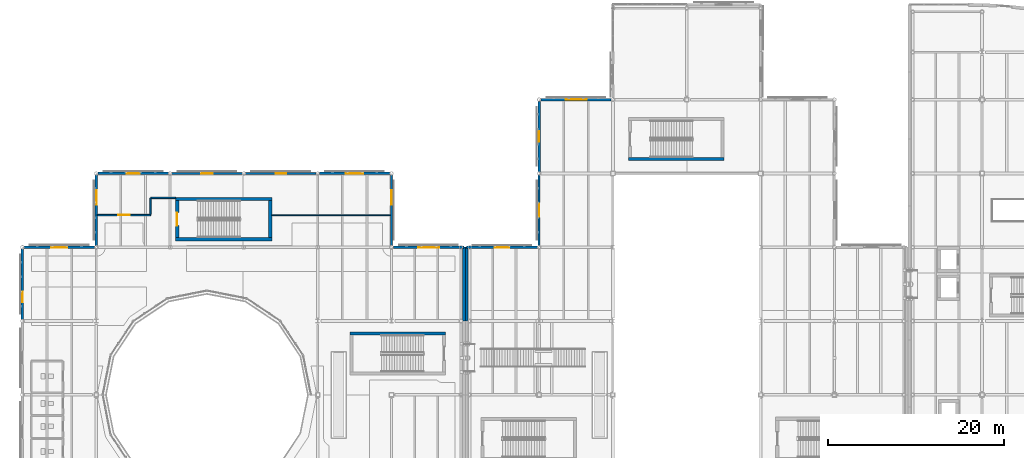
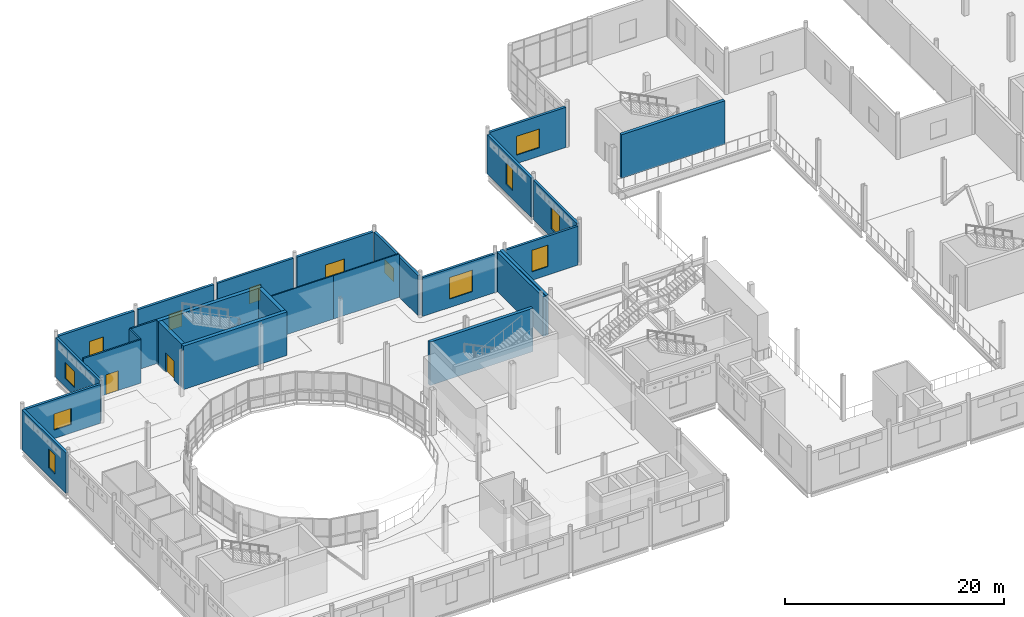
# One storey, part 70 of 104: 26 walls, 13 windows, 2 doors, 15 openings.
"""IFC4 building model written with IfcOpenShell, lengths in metres."""

from ifc_helpers import new_model, si_unit, direction, frame, frame_2d, origin, place, context, subcontext, project, spatial, rectangle, extrude, material, layer, layer_set, type_object, element, fill, save


model = new_model("IFC4")

# Units and contexts
model_context = context("Model", 3, precision=1e-05, world=origin(), true_north=direction((0.0, 1.0)))
body_context = subcontext(model_context, "Body", "Model", "MODEL_VIEW")
ifc_project = project(units=[si_unit("LENGTHUNIT", "METRE"), si_unit("AREAUNIT", "SQUARE_METRE"), si_unit("VOLUMEUNIT", "CUBIC_METRE"), si_unit("PLANEANGLEUNIT", "RADIAN"), si_unit("MASSUNIT", "GRAM", prefix="KILO"), si_unit("THERMODYNAMICTEMPERATUREUNIT", "KELVIN")], contexts=[model_context])

# Site, building, storey
site_placement = place(None, origin())
site = spatial("IfcSite", under=ifc_project, at=site_placement, CompositionType="ELEMENT")
building_placement = place(site_placement, origin())
building = spatial("IfcBuilding", under=site, at=building_placement, Name="Lustrewick Department Store", CompositionType="ELEMENT")
storey_placement = place(building_placement, frame((0.0, 0.0, 11.39990234375)))
storey = spatial("IfcBuildingStorey", under=building, at=storey_placement, Name="L03", CompositionType="ELEMENT", Elevation=11.39990234375)

# Wall, opening, window
ifc_material_1 = material(Name="Precast concrete C40", Category="concrete")
ifc_layer_1 = layer(ifc_material_1, 0.239990234375, Name="Precast concrete C40")
ifc_layer_set_1 = layer_set([ifc_layer_1], Name="Precast concrete C40")
wall_type_1 = type_object("IfcWallType", Name="EW01", PredefinedType="STANDARD", material=ifc_layer_set_1)
wall_1_placement = place(storey_placement, frame((58.64990234375, 84.0, 0.0), z_axis=(0.0, 0.0, 1.0), x_axis=(-1.0, 0.0, 0.0)))
wall_1 = element("IfcWall", 1, at=wall_1_placement, inside=storey, type_object=wall_type_1, Name="L03 V1 Exterior Wall EW01", PredefinedType="STANDARD", context=body_context, shape_type="SweptSolid", body=[
    extrude(rectangle(XDim=8.052001953125, YDim=0.239990234375, at=frame_2d((4.02587890625, 0.0))), origin(), (0.0, 0.0, 1.0), 4.3310546875),
])
opening_1_placement = place(wall_1_placement, frame((2.825927734375, 0.0, 0.949951171875)))
opening_1 = element("IfcOpeningElement", 2, at=opening_1_placement, cuts=wall_1, Name="Opening WN18", PredefinedType="OPENING", context=body_context, shape_type="SweptSolid", body=[
    extrude(rectangle(XDim=2.39990234375, YDim=2.39990234375, at=frame_2d((1.199951171875, 1.199951171875))), frame((0.0, 0.1298828125, 0.0), z_axis=(0.0, -1.0, 0.0), x_axis=(1.0, 0.0, 0.0)), (0.0, 0.0, 1.0), 0.260009765625),
])
ifc_material_2 = material(Name="Thermally broken Low-E triple-glazed window", Category="glass")
window_type_1 = type_object("IfcWindowType", Name="WN18", PartitioningType="DOUBLE_PANEL_VERTICAL", PredefinedType="WINDOW", material=ifc_material_2)
window_1_placement = place(opening_1_placement, origin())
window_1 = element("IfcWindow", 3, at=window_1_placement, inside=storey, type_object=window_type_1, Name="L03 Art Nouveau Window WN18", OverallHeight=2.39990234375, OverallWidth=2.39990234375, PartitioningType="SINGLE_PANEL", PredefinedType="WINDOW", context=body_context, shape_type="SweptSolid", body=[
    extrude(rectangle(XDim=2.39990234375, YDim=2.39990234375, at=frame_2d((1.199951171875, 1.199951171875))), frame((0.0, 0.030029296875, 0.0), z_axis=(0.0, -1.0, 0.0), x_axis=(1.0, 0.0, 0.0)), (0.0, 0.0, 1.0), 0.06005859375),
])
fill(opening_1, window_1)

wall_2_placement = place(storey_placement, frame((41.81640625, 92.39990234375, 0.0), z_axis=(0.0, 0.0, 1.0), x_axis=(-1.0, 0.0, 0.0)))
wall_2 = element("IfcWall", 4, at=wall_2_placement, inside=storey, type_object=wall_type_1, Name="L03 V1 Exterior Wall EW01", PredefinedType="STANDARD", context=body_context, shape_type="SweptSolid", body=[
    extrude(rectangle(XDim=8.032958984375, YDim=0.239990234375, at=frame_2d((4.0166015625, 0.0))), origin(), (0.0, 0.0, 1.0), 4.487060546875),
])
opening_2_placement = place(wall_2_placement, frame((3.41650390625, 0.0, 0.949951171875)))
opening_2 = element("IfcOpeningElement", 5, at=opening_2_placement, cuts=wall_2, Name="Opening WN01", PredefinedType="OPENING", context=body_context, shape_type="SweptSolid", body=[
    extrude(rectangle(XDim=1.199951171875, YDim=1.800048828125, at=frame_2d((0.60009765625, 0.89990234375))), frame((0.0, 0.1298828125, 0.0), z_axis=(0.0, -1.0, 0.0), x_axis=(1.0, 0.0, 0.0)), (0.0, 0.0, 1.0), 0.260009765625),
])
window_type_2 = type_object("IfcWindowType", Name="WN01", PartitioningType="DOUBLE_PANEL_VERTICAL", PredefinedType="WINDOW", material=ifc_material_2)
window_2_placement = place(opening_2_placement, origin())
window_2 = element("IfcWindow", 6, at=window_2_placement, inside=storey, type_object=window_type_2, Name="L03 Art Nouveau Window WN01", OverallHeight=1.800048828125, OverallWidth=1.199951171875, PartitioningType="SINGLE_PANEL", PredefinedType="WINDOW", context=body_context, shape_type="SweptSolid", body=[
    extrude(rectangle(XDim=1.199951171875, YDim=1.800048828125, at=frame_2d((0.60009765625, 0.89990234375))), frame((0.0, 0.030029296875, 0.0), z_axis=(0.0, -1.0, 0.0), x_axis=(1.0, 0.0, 0.0)), (0.0, 0.0, 1.0), 0.06005859375),
])
fill(opening_2, window_2)

wall_3_placement = place(storey_placement, frame((16.800048828125, 92.216552734375, 0.0), z_axis=(0.0, 0.0, 1.0), x_axis=(0.0, -1.0, 0.0)))
wall_3 = element("IfcWall", 7, at=wall_3_placement, inside=storey, type_object=wall_type_1, Name="L03 V1 Exterior Wall EW01", PredefinedType="STANDARD", context=body_context, shape_type="SweptSolid", body=[
    extrude(rectangle(XDim=8.0185546875, YDim=0.239990234375, at=frame_2d((4.00927734375, 0.0))), origin(), (0.0, 0.0, 1.0), 4.487060546875),
])
opening_3_placement = place(wall_3_placement, frame((1.725830078125, 0.0, 0.949951171875)))
opening_3 = element("IfcOpeningElement", 8, at=opening_3_placement, cuts=wall_3, Name="Opening WN04", PredefinedType="OPENING", context=body_context, shape_type="SweptSolid", body=[
    extrude(rectangle(XDim=1.679931640625, YDim=1.800048828125, at=frame_2d((0.83984375, 0.89990234375))), frame((0.0, 0.1298828125, 0.0), z_axis=(0.0, -1.0, 0.0), x_axis=(1.0, 0.0, 0.0)), (0.0, 0.0, 1.0), 0.260009765625),
])
window_type_3 = type_object("IfcWindowType", Name="WN04", PartitioningType="DOUBLE_PANEL_VERTICAL", PredefinedType="WINDOW", material=ifc_material_2)
window_3_placement = place(opening_3_placement, origin())
window_3 = element("IfcWindow", 9, at=window_3_placement, inside=storey, type_object=window_type_3, Name="L03 Art Nouveau Window WN04", OverallHeight=1.800048828125, OverallWidth=1.679931640625, PartitioningType="SINGLE_PANEL", PredefinedType="WINDOW", context=body_context, shape_type="SweptSolid", body=[
    extrude(rectangle(XDim=1.679931640625, YDim=1.800048828125, at=frame_2d((0.83984375, 0.89990234375))), frame((0.0, 0.030029296875, 0.0), z_axis=(0.0, -1.0, 0.0), x_axis=(1.0, 0.0, 0.0)), (0.0, 0.0, 1.0), 0.06005859375),
])
fill(opening_3, window_3)

wall_4_placement = place(storey_placement, frame((67.199951171875, 92.216552734375, 0.0), z_axis=(0.0, 0.0, 1.0), x_axis=(0.0, -1.0, 0.0)))
wall_4 = element("IfcWall", 10, at=wall_4_placement, inside=storey, type_object=wall_type_1, Name="L03 V2 Exterior Wall EW01", PredefinedType="STANDARD", context=body_context, shape_type="SweptSolid", body=[
    extrude(rectangle(XDim=8.0185546875, YDim=0.239990234375, at=frame_2d((4.00927734375, 0.0))), origin(), (0.0, 0.0, 1.0), 4.397216796875),
])
opening_4_placement = place(wall_4_placement, frame((3.25927734375, 0.0, 0.949951171875)))
opening_4 = element("IfcOpeningElement", 11, at=opening_4_placement, cuts=wall_4, Name="Opening WN14", PredefinedType="OPENING", context=body_context, shape_type="SweptSolid", body=[
    extrude(rectangle(XDim=1.5, YDim=2.39990234375, at=frame_2d((0.75, 1.199951171875))), frame((0.0, 0.1298828125, 0.0), z_axis=(0.0, -1.0, 0.0), x_axis=(1.0, 0.0, 0.0)), (0.0, 0.0, 1.0), 0.260009765625),
])
window_type_4 = type_object("IfcWindowType", Name="WN14", PartitioningType="DOUBLE_PANEL_VERTICAL", PredefinedType="WINDOW", material=ifc_material_2)
window_4_placement = place(opening_4_placement, origin())
window_4 = element("IfcWindow", 12, at=window_4_placement, inside=storey, type_object=window_type_4, Name="L03 Art Nouveau Window WN14", OverallHeight=2.39990234375, OverallWidth=1.5, PartitioningType="SINGLE_PANEL", PredefinedType="WINDOW", context=body_context, shape_type="SweptSolid", body=[
    extrude(rectangle(XDim=1.5, YDim=2.39990234375, at=frame_2d((0.75, 1.199951171875))), frame((0.0, 0.030029296875, 0.0), z_axis=(0.0, -1.0, 0.0), x_axis=(1.0, 0.0, 0.0)), (0.0, 0.0, 1.0), 0.06005859375),
])
fill(opening_4, window_4)

wall_5_placement = place(storey_placement, frame((67.001953125, 84.0, 0.0), z_axis=(0.0, 0.0, 1.0), x_axis=(-1.0, 0.0, 0.0)))
wall_5 = element("IfcWall", 13, at=wall_5_placement, inside=storey, type_object=wall_type_1, Name="L03 V2 Exterior Wall EW01", PredefinedType="STANDARD", context=body_context, shape_type="SweptSolid", body=[
    extrude(rectangle(XDim=8.052001953125, YDim=0.239990234375, at=frame_2d((4.02587890625, 0.0))), origin(), (0.0, 0.0, 1.0), 4.3310546875),
])
opening_5_placement = place(wall_5_placement, frame((3.18603515625, 0.0, 0.949951171875)))
opening_5 = element("IfcOpeningElement", 14, at=opening_5_placement, cuts=wall_5, Name="Opening WN15", PredefinedType="OPENING", context=body_context, shape_type="SweptSolid", body=[
    extrude(rectangle(XDim=1.679931640625, YDim=2.39990234375, at=frame_2d((0.83984375, 1.199951171875))), frame((0.0, 0.1298828125, 0.0), z_axis=(0.0, -1.0, 0.0), x_axis=(1.0, 0.0, 0.0)), (0.0, 0.0, 1.0), 0.260009765625),
])
window_type_5 = type_object("IfcWindowType", Name="WN15", PartitioningType="DOUBLE_PANEL_VERTICAL", PredefinedType="WINDOW", material=ifc_material_2)
window_5_placement = place(opening_5_placement, origin())
window_5 = element("IfcWindow", 15, at=window_5_placement, inside=storey, type_object=window_type_5, Name="L03 Art Nouveau Window WN15", OverallHeight=2.39990234375, OverallWidth=1.679931640625, PartitioningType="SINGLE_PANEL", PredefinedType="WINDOW", context=body_context, shape_type="SweptSolid", body=[
    extrude(rectangle(XDim=1.679931640625, YDim=2.39990234375, at=frame_2d((0.83984375, 1.199951171875))), frame((0.0, 0.030029296875, 0.0), z_axis=(0.0, -1.0, 0.0), x_axis=(1.0, 0.0, 0.0)), (0.0, 0.0, 1.0), 0.06005859375),
])
fill(opening_5, window_5)

ifc_layer_2 = layer(ifc_material_1, 0.260009765625, Name="Precast concrete C40")
ifc_layer_set_2 = layer_set([ifc_layer_2], Name="Precast concrete C40")
wall_type_2 = type_object("IfcWallType", Name="EW02", PredefinedType="STANDARD", material=ifc_layer_set_2)
wall_6_placement = place(storey_placement, frame((50.39990234375, 84.197998046875, 0.0), z_axis=(0.0, 0.0, 1.0), x_axis=(0.0, 1.0, 0.0)))
wall_6 = element("IfcWall", 16, at=wall_6_placement, inside=storey, type_object=wall_type_2, Name="L03 V1 Exterior Wall EW02", PredefinedType="STANDARD", context=body_context, shape_type="SweptSolid", body=[
    extrude(rectangle(XDim=8.0185546875, YDim=0.260009765625, at=frame_2d((4.00927734375, 0.0))), origin(), (0.0, 0.0, 1.0), 4.487060546875),
])
opening_6_placement = place(wall_6_placement, frame((4.612548828125, 0.0, 0.949951171875)))
opening_6 = element("IfcOpeningElement", 17, at=opening_6_placement, cuts=wall_6, Name="Opening WN19", PredefinedType="OPENING", context=body_context, shape_type="SweptSolid", body=[
    extrude(rectangle(XDim=1.679931640625, YDim=1.5, at=frame_2d((0.83984375, 0.75))), frame((0.0, 0.14013671875, 0.0), z_axis=(0.0, -1.0, 0.0), x_axis=(1.0, 0.0, 0.0)), (0.0, 0.0, 1.0), 0.280029296875),
])
window_type_6 = type_object("IfcWindowType", Name="WN19", PartitioningType="DOUBLE_PANEL_VERTICAL", PredefinedType="WINDOW", material=ifc_material_2)
window_6_placement = place(opening_6_placement, origin())
window_6 = element("IfcWindow", 18, at=window_6_placement, inside=storey, type_object=window_type_6, Name="L03 Art Nouveau Window WN19", OverallHeight=1.5, OverallWidth=1.679931640625, PartitioningType="SINGLE_PANEL", PredefinedType="WINDOW", context=body_context, shape_type="SweptSolid", body=[
    extrude(rectangle(XDim=1.679931640625, YDim=1.5, at=frame_2d((0.83984375, 0.75))), frame((0.0, 0.030029296875, 0.0), z_axis=(0.0, -1.0, 0.0), x_axis=(1.0, 0.0, 0.0)), (0.0, 0.0, 1.0), 0.06005859375),
])
fill(opening_6, window_6)

wall_7_placement = place(storey_placement, frame((33.41650390625, 92.39990234375, 0.0), z_axis=(0.0, 0.0, 1.0), x_axis=(-1.0, 0.0, 0.0)))
wall_7 = element("IfcWall", 19, at=wall_7_placement, inside=storey, type_object=wall_type_2, Name="L03 V1 Exterior Wall EW02", PredefinedType="STANDARD", context=body_context, shape_type="SweptSolid", body=[
    extrude(rectangle(XDim=8.032958984375, YDim=0.260009765625, at=frame_2d((4.0166015625, 0.0))), origin(), (0.0, 0.0, 1.0), 4.487060546875),
])
opening_7_placement = place(wall_7_placement, frame((3.341552734375, 0.0, 0.949951171875)))
opening_7 = element("IfcOpeningElement", 20, at=opening_7_placement, cuts=wall_7, Name="Opening WN02", PredefinedType="OPENING", context=body_context, shape_type="SweptSolid", body=[
    extrude(rectangle(XDim=1.35009765625, YDim=1.800048828125, at=frame_2d((0.675048828125, 0.89990234375))), frame((0.0, 0.14013671875, 0.0), z_axis=(0.0, -1.0, 0.0), x_axis=(1.0, 0.0, 0.0)), (0.0, 0.0, 1.0), 0.280029296875),
])
window_type_7 = type_object("IfcWindowType", Name="WN02", PartitioningType="DOUBLE_PANEL_VERTICAL", PredefinedType="WINDOW", material=ifc_material_2)
window_7_placement = place(opening_7_placement, origin())
window_7 = element("IfcWindow", 21, at=window_7_placement, inside=storey, type_object=window_type_7, Name="L03 Art Nouveau Window WN02", OverallHeight=1.800048828125, OverallWidth=1.35009765625, PartitioningType="SINGLE_PANEL", PredefinedType="WINDOW", context=body_context, shape_type="SweptSolid", body=[
    extrude(rectangle(XDim=1.35009765625, YDim=1.800048828125, at=frame_2d((0.675048828125, 0.89990234375))), frame((0.0, 0.030029296875, 0.0), z_axis=(0.0, -1.0, 0.0), x_axis=(1.0, 0.0, 0.0)), (0.0, 0.0, 1.0), 0.06005859375),
])
fill(opening_7, window_7)

wall_8_placement = place(storey_placement, frame((16.60205078125, 84.0, 0.0), z_axis=(0.0, 0.0, 1.0), x_axis=(-1.0, 0.0, 0.0)))
wall_8 = element("IfcWall", 22, at=wall_8_placement, inside=storey, type_object=wall_type_2, Name="L03 V1 Exterior Wall EW02", PredefinedType="STANDARD", context=body_context, shape_type="SweptSolid", body=[
    extrude(rectangle(XDim=8.004150390625, YDim=0.260009765625, at=frame_2d((4.001953125, 0.0))), origin(), (0.0, 0.0, 1.0), 4.3310546875),
])
opening_8_placement = place(wall_8_placement, frame((3.10205078125, 0.0, 0.949951171875)))
opening_8 = element("IfcOpeningElement", 23, at=opening_8_placement, cuts=wall_8, Name="Opening WN05", PredefinedType="OPENING", context=body_context, shape_type="SweptSolid", body=[
    extrude(rectangle(XDim=1.800048828125, YDim=1.800048828125, at=frame_2d((0.89990234375, 0.89990234375))), frame((0.0, 0.14013671875, 0.0), z_axis=(0.0, -1.0, 0.0), x_axis=(1.0, 0.0, 0.0)), (0.0, 0.0, 1.0), 0.280029296875),
])
window_type_8 = type_object("IfcWindowType", Name="WN05", PartitioningType="DOUBLE_PANEL_VERTICAL", PredefinedType="WINDOW", material=ifc_material_2)
window_8_placement = place(opening_8_placement, origin())
window_8 = element("IfcWindow", 24, at=window_8_placement, inside=storey, type_object=window_type_8, Name="L03 Art Nouveau Window WN05", OverallHeight=1.800048828125, OverallWidth=1.800048828125, PartitioningType="SINGLE_PANEL", PredefinedType="WINDOW", context=body_context, shape_type="SweptSolid", body=[
    extrude(rectangle(XDim=1.800048828125, YDim=1.800048828125, at=frame_2d((0.89990234375, 0.89990234375))), frame((0.0, 0.030029296875, 0.0), z_axis=(0.0, -1.0, 0.0), x_axis=(1.0, 0.0, 0.0)), (0.0, 0.0, 1.0), 0.06005859375),
])
fill(opening_8, window_8)

wall_9_placement = place(storey_placement, frame((75.402099609375, 100.800048828125, 0.0), z_axis=(0.0, 0.0, 1.0), x_axis=(-1.0, 0.0, 0.0)))
wall_9 = element("IfcWall", 25, at=wall_9_placement, inside=storey, type_object=wall_type_2, Name="L03 V2 Exterior Wall EW02", PredefinedType="STANDARD", context=body_context, shape_type="SweptSolid", body=[
    extrude(rectangle(XDim=8.004150390625, YDim=0.260009765625, at=frame_2d((4.001953125, 0.0))), origin(), (0.0, 0.0, 1.0), 4.487060546875),
])
opening_9_placement = place(wall_9_placement, frame((2.802001953125, 0.0, 0.949951171875)))
opening_9 = element("IfcOpeningElement", 26, at=opening_9_placement, cuts=wall_9, Name="Opening WN12", PredefinedType="OPENING", context=body_context, shape_type="SweptSolid", body=[
    extrude(rectangle(XDim=2.39990234375, YDim=2.10009765625, at=frame_2d((1.199951171875, 1.050048828125))), frame((0.0, 0.14013671875, 0.0), z_axis=(0.0, -1.0, 0.0), x_axis=(1.0, 0.0, 0.0)), (0.0, 0.0, 1.0), 0.280029296875),
])
window_type_9 = type_object("IfcWindowType", Name="WN12", PartitioningType="DOUBLE_PANEL_VERTICAL", PredefinedType="WINDOW", material=ifc_material_2)
window_9_placement = place(opening_9_placement, origin())
window_9 = element("IfcWindow", 27, at=window_9_placement, inside=storey, type_object=window_type_9, Name="L03 Art Nouveau Window WN12", OverallHeight=2.10009765625, OverallWidth=2.39990234375, PartitioningType="SINGLE_PANEL", PredefinedType="WINDOW", context=body_context, shape_type="SweptSolid", body=[
    extrude(rectangle(XDim=2.39990234375, YDim=2.10009765625, at=frame_2d((1.199951171875, 1.050048828125))), frame((0.0, 0.030029296875, 0.0), z_axis=(0.0, -1.0, 0.0), x_axis=(1.0, 0.0, 0.0)), (0.0, 0.0, 1.0), 0.06005859375),
])
fill(opening_9, window_9)

ifc_layer_3 = layer(ifc_material_1, 0.280029296875, Name="Precast concrete C40")
ifc_layer_set_3 = layer_set([ifc_layer_3], Name="Precast concrete C40")
wall_type_3 = type_object("IfcWallType", Name="EW03", PredefinedType="STANDARD", material=ifc_layer_set_3)
wall_10_placement = place(storey_placement, frame((50.216552734375, 92.39990234375, 0.0), z_axis=(0.0, 0.0, 1.0), x_axis=(-1.0, 0.0, 0.0)))
wall_10 = element("IfcWall", 28, at=wall_10_placement, inside=storey, type_object=wall_type_3, Name="L03 V1 Exterior Wall EW03", PredefinedType="STANDARD", context=body_context, shape_type="SweptSolid", body=[
    extrude(rectangle(XDim=8.032958984375, YDim=0.280029296875, at=frame_2d((4.0166015625, 0.0))), origin(), (0.0, 0.0, 1.0), 4.487060546875),
])
opening_10_placement = place(wall_10_placement, frame((3.0166015625, 0.0, 0.949951171875)))
opening_10 = element("IfcOpeningElement", 29, at=opening_10_placement, cuts=wall_10, Name="Opening WN20", PredefinedType="OPENING", context=body_context, shape_type="SweptSolid", body=[
    extrude(rectangle(XDim=2.0, YDim=1.60009765625, at=frame_2d((1.0, 0.800048828125))), frame((0.0, 0.14990234375, 0.0), z_axis=(0.0, -1.0, 0.0), x_axis=(1.0, 0.0, 0.0)), (0.0, 0.0, 1.0), 0.300048828125),
])
window_type_10 = type_object("IfcWindowType", Name="WN20", PartitioningType="DOUBLE_PANEL_VERTICAL", PredefinedType="WINDOW", material=ifc_material_2)
window_10_placement = place(opening_10_placement, origin())
window_10 = element("IfcWindow", 30, at=window_10_placement, inside=storey, type_object=window_type_10, Name="L03 Art Nouveau Window WN20", OverallHeight=1.60009765625, OverallWidth=2.0, PartitioningType="SINGLE_PANEL", PredefinedType="WINDOW", context=body_context, shape_type="SweptSolid", body=[
    extrude(rectangle(XDim=2.0, YDim=1.60009765625, at=frame_2d((1.0, 0.800048828125))), frame((0.0, 0.030029296875, 0.0), z_axis=(0.0, -1.0, 0.0), x_axis=(1.0, 0.0, 0.0)), (0.0, 0.0, 1.0), 0.06005859375),
])
fill(opening_10, window_10)

wall_11_placement = place(storey_placement, frame((25.0166015625, 92.39990234375, 0.0), z_axis=(0.0, 0.0, 1.0), x_axis=(-1.0, 0.0, 0.0)))
wall_11 = element("IfcWall", 31, at=wall_11_placement, inside=storey, type_object=wall_type_3, Name="L03 V1 Exterior Wall EW03", PredefinedType="STANDARD", context=body_context, shape_type="SweptSolid", body=[
    extrude(rectangle(XDim=8.033203125, YDim=0.280029296875, at=frame_2d((4.0166015625, 0.0))), origin(), (0.0, 0.0, 1.0), 4.487060546875),
])
opening_11_placement = place(wall_11_placement, frame((3.2666015625, 0.0, 0.949951171875)))
opening_11 = element("IfcOpeningElement", 32, at=opening_11_placement, cuts=wall_11, Name="Opening WN03", PredefinedType="OPENING", context=body_context, shape_type="SweptSolid", body=[
    extrude(rectangle(XDim=1.5, YDim=1.800048828125, at=frame_2d((0.75, 0.89990234375))), frame((0.0, 0.14990234375, 0.0), z_axis=(0.0, -1.0, 0.0), x_axis=(1.0, 0.0, 0.0)), (0.0, 0.0, 1.0), 0.300048828125),
])
window_type_11 = type_object("IfcWindowType", Name="WN03", PartitioningType="DOUBLE_PANEL_VERTICAL", PredefinedType="WINDOW", material=ifc_material_2)
window_11_placement = place(opening_11_placement, origin())
window_11 = element("IfcWindow", 33, at=window_11_placement, inside=storey, type_object=window_type_11, Name="L03 Art Nouveau Window WN03", OverallHeight=1.800048828125, OverallWidth=1.5, PartitioningType="SINGLE_PANEL", PredefinedType="WINDOW", context=body_context, shape_type="SweptSolid", body=[
    extrude(rectangle(XDim=1.5, YDim=1.800048828125, at=frame_2d((0.75, 0.89990234375))), frame((0.0, 0.030029296875, 0.0), z_axis=(0.0, -1.0, 0.0), x_axis=(1.0, 0.0, 0.0)), (0.0, 0.0, 1.0), 0.06005859375),
])
fill(opening_11, window_11)

wall_12_placement = place(storey_placement, frame((8.39990234375, 83.802001953125, 0.0), z_axis=(0.0, 0.0, 1.0), x_axis=(0.0, -1.0, 0.0)))
wall_12 = element("IfcWall", 34, at=wall_12_placement, inside=storey, type_object=wall_type_3, Name="L03 V1 Exterior Wall EW03", PredefinedType="STANDARD", context=body_context, shape_type="SweptSolid", body=[
    extrude(rectangle(XDim=8.0185546875, YDim=0.280029296875, at=frame_2d((4.00927734375, 0.0))), origin(), (0.0, 0.0, 1.0), 4.487060546875),
])
opening_12_placement = place(wall_12_placement, frame((4.8525390625, 0.0, 0.949951171875)))
opening_12 = element("IfcOpeningElement", 35, at=opening_12_placement, cuts=wall_12, Name="Opening WN06", PredefinedType="OPENING", context=body_context, shape_type="SweptSolid", body=[
    extrude(rectangle(XDim=1.199951171875, YDim=2.10009765625, at=frame_2d((0.60009765625, 1.050048828125))), frame((0.0, 0.14990234375, 0.0), z_axis=(0.0, -1.0, 0.0), x_axis=(1.0, 0.0, 0.0)), (0.0, 0.0, 1.0), 0.300048828125),
])
window_type_12 = type_object("IfcWindowType", Name="WN06", PartitioningType="DOUBLE_PANEL_VERTICAL", PredefinedType="WINDOW", material=ifc_material_2)
window_12_placement = place(opening_12_placement, origin())
window_12 = element("IfcWindow", 36, at=window_12_placement, inside=storey, type_object=window_type_12, Name="L03 Art Nouveau Window WN06", OverallHeight=2.10009765625, OverallWidth=1.199951171875, PartitioningType="SINGLE_PANEL", PredefinedType="WINDOW", context=body_context, shape_type="SweptSolid", body=[
    extrude(rectangle(XDim=1.199951171875, YDim=2.10009765625, at=frame_2d((0.60009765625, 1.050048828125))), frame((0.0, 0.030029296875, 0.0), z_axis=(0.0, -1.0, 0.0), x_axis=(1.0, 0.0, 0.0)), (0.0, 0.0, 1.0), 0.06005859375),
])
fill(opening_12, window_12)

wall_13_placement = place(storey_placement, frame((67.199951171875, 100.60205078125, 0.0), z_axis=(0.0, 0.0, 1.0), x_axis=(0.0, -1.0, 0.0)))
wall_13 = element("IfcWall", 37, at=wall_13_placement, inside=storey, type_object=wall_type_3, Name="L03 V2 Exterior Wall EW03", PredefinedType="STANDARD", context=body_context, shape_type="SweptSolid", body=[
    extrude(rectangle(XDim=8.0185546875, YDim=0.280029296875, at=frame_2d((4.00927734375, 0.0))), origin(), (0.0, 0.0, 1.0), 4.397216796875),
])
opening_13_placement = place(wall_13_placement, frame((3.4091796875, 0.0, 0.949951171875)))
opening_13 = element("IfcOpeningElement", 38, at=opening_13_placement, cuts=wall_13, Name="Opening WN13", PredefinedType="OPENING", context=body_context, shape_type="SweptSolid", body=[
    extrude(rectangle(XDim=1.199951171875, YDim=2.39990234375, at=frame_2d((0.60009765625, 1.199951171875))), frame((0.0, 0.14990234375, 0.0), z_axis=(0.0, -1.0, 0.0), x_axis=(1.0, 0.0, 0.0)), (0.0, 0.0, 1.0), 0.300048828125),
])
window_type_13 = type_object("IfcWindowType", Name="WN13", PartitioningType="DOUBLE_PANEL_VERTICAL", PredefinedType="WINDOW", material=ifc_material_2)
window_13_placement = place(opening_13_placement, origin())
window_13 = element("IfcWindow", 39, at=window_13_placement, inside=storey, type_object=window_type_13, Name="L03 Art Nouveau Window WN13", OverallHeight=2.39990234375, OverallWidth=1.199951171875, PartitioningType="SINGLE_PANEL", PredefinedType="WINDOW", context=body_context, shape_type="SweptSolid", body=[
    extrude(rectangle(XDim=1.199951171875, YDim=2.39990234375, at=frame_2d((0.60009765625, 1.199951171875))), frame((0.0, 0.030029296875, 0.0), z_axis=(0.0, -1.0, 0.0), x_axis=(1.0, 0.0, 0.0)), (0.0, 0.0, 1.0), 0.06005859375),
])
fill(opening_13, window_13)

# Walls
ifc_layer_4 = layer(ifc_material_1, 0.300048828125, Name="Precast concrete C40")
ifc_layer_set_4 = layer_set([ifc_layer_4], Name="Precast concrete C40")
wall_type_4 = type_object("IfcWallType", Name="EW04", PredefinedType="STANDARD", material=ifc_layer_set_4)
wall_14_placement = place(storey_placement, frame((58.64990234375, 75.60009765625, 0.0), z_axis=(0.0, 0.0, 1.0), x_axis=(0.0, 1.0, 0.0)))
element("IfcWall", 40, at=wall_14_placement, inside=storey, type_object=wall_type_4, Name="L03 V1 Exterior Wall EW04", PredefinedType="STANDARD", context=body_context, shape_type="SweptSolid", body=[
    extrude(rectangle(XDim=8.39990234375, YDim=0.300048828125, at=frame_2d((4.199951171875, 0.0))), origin(), (0.0, 0.0, 1.0), 4.397216796875),
])
wall_15_placement = place(storey_placement, frame((58.949951171875, 84.0, 0.0), z_axis=(0.0, 0.0, 1.0), x_axis=(0.0, -1.0, 0.0)))
element("IfcWall", 41, at=wall_15_placement, inside=storey, type_object=wall_type_4, Name="L03 V2 Exterior Wall EW04", PredefinedType="STANDARD", context=body_context, shape_type="SweptSolid", body=[
    extrude(rectangle(XDim=8.39990234375, YDim=0.300048828125, at=frame_2d((4.199951171875, 0.0))), origin(), (0.0, 0.0, 1.0), 4.487060546875),
])

# Wall, opening, door
ifc_material_3 = material(Name="Double-stud gypsum fire board with mineral wool", Category="gypsum")
ifc_layer_5 = layer(ifc_material_3, 0.1650390625, Name="Double-stud gypsum fire board with mineral wool")
ifc_layer_set_5 = layer_set([ifc_layer_5], Name="Double-stud gypsum fire board with mineral wool")
wall_type_5 = type_object("IfcWallType", Name="PW04", PredefinedType="PARTITIONING", material=ifc_layer_set_5)
wall_16_placement = place(storey_placement, frame((16.9150390625, 87.661376953125, 0.0), z_axis=(0.0, 0.0, 1.0), x_axis=(1.0, 0.0, 0.0)))
wall_16 = element("IfcWall", 42, at=wall_16_placement, inside=storey, type_object=wall_type_5, Name="L03 Forward Stockroom PW04", PredefinedType="PARTITIONING", context=body_context, shape_type="SweptSolid", body=[
    extrude(rectangle(XDim=6.074951171875, YDim=0.1650390625, at=frame_2d((3.03759765625, 0.0))), origin(), (0.0, 0.0, 1.0), 4.84521484375),
])
opening_14_placement = place(wall_16_placement, frame((2.387451171875, 0.0, 0.0)))
opening_14 = element("IfcOpeningElement", 43, at=opening_14_placement, cuts=wall_16, Name="Opening D-L03-047", PredefinedType="OPENING", context=body_context, shape_type="SweptSolid", body=[
    extrude(rectangle(XDim=1.300048828125, YDim=2.199951171875, at=frame_2d((0.64990234375, 1.10009765625))), frame((0.0, 0.092529296875, 0.0), z_axis=(0.0, -1.0, 0.0), x_axis=(1.0, 0.0, 0.0)), (0.0, 0.0, 1.0), 0.18505859375),
])
ifc_material_4 = material(Name="Steel fire door Class A EI 90", Category="steel")
door_type_1 = type_object("IfcDoorType", Name="DT-13", OperationType="NOTDEFINED", PredefinedType="DOOR", material=ifc_material_4)
door_1_placement = place(opening_14_placement, origin())
door_1 = element("IfcDoor", 44, at=door_1_placement, inside=storey, type_object=door_type_1, Name="L03 Forward Stockroom Door D-L03-047", OperationType="SINGLE_SWING_LEFT", OverallHeight=2.199951171875, OverallWidth=1.300048828125, PredefinedType="DOOR", context=body_context, shape_type="SweptSolid", body=[
    extrude(rectangle(XDim=1.300048828125, YDim=2.199951171875, at=frame_2d((0.64990234375, 1.10009765625))), frame((0.0, 0.02490234375, 0.0), z_axis=(0.0, -1.0, 0.0), x_axis=(1.0, 0.0, 0.0)), (0.0, 0.0, 1.0), 0.050048828125),
])
fill(opening_14, door_1)

# Walls
wall_17_placement = place(storey_placement, frame((22.989990234375, 87.739013671875, 0.0), z_axis=(0.0, 0.0, 1.0), x_axis=(0.0, 1.0, 0.0)))
element("IfcWall", 45, at=wall_17_placement, inside=storey, type_object=wall_type_5, Name="L03 Forward Stockroom PW04", PredefinedType="PARTITIONING", context=body_context, shape_type="SweptSolid", body=[
    extrude(rectangle(XDim=1.861083984375, YDim=0.1650390625, at=frame_2d((0.9306640625, 0.0))), origin(), (0.0, 0.0, 1.0), 4.84521484375),
])
wall_18_placement = place(storey_placement, frame((23.0, 89.610107421875, 0.0), z_axis=(0.0, 0.0, 1.0), x_axis=(1.0, 0.0, 0.0)))
element("IfcWall", 46, at=wall_18_placement, inside=storey, type_object=wall_type_5, Name="L03 Forward Stockroom PW04", PredefinedType="PARTITIONING", context=body_context, shape_type="SweptSolid", body=[
    extrude(rectangle(XDim=2.820068359375, YDim=0.1650390625, at=frame_2d((1.41015625, 0.0))), origin(), (0.0, 0.0, 1.0), 4.84521484375),
])
ifc_material_5 = material(Name="Acoustic gypsum stud office partition", Category="gypsum")
ifc_layer_6 = layer(ifc_material_5, 0.1201171875, Name="Acoustic gypsum stud office partition")
ifc_layer_set_6 = layer_set([ifc_layer_6], Name="Acoustic gypsum stud office partition")
wall_type_6 = type_object("IfcWallType", Name="PW07", PredefinedType="PARTITIONING", material=ifc_layer_set_6)
wall_19_placement = place(storey_placement, frame((50.27490234375, 87.661376953125, 0.0), z_axis=(0.0, 0.0, 1.0), x_axis=(-1.0, 0.0, 0.0)))
element("IfcWall", 47, at=wall_19_placement, inside=storey, type_object=wall_type_6, Name="L03 Fine Porcelain Showroom PW07", PredefinedType="PARTITIONING", context=body_context, shape_type="SweptSolid", body=[
    extrude(rectangle(XDim=6.93994140625, YDim=0.1201171875, at=frame_2d((3.469970703125, 0.0))), origin(), (0.0, 0.0, 1.0), 4.84521484375),
])
wall_20_placement = place(storey_placement, frame((43.3349609375, 87.661376953125, 0.0), z_axis=(0.0, 0.0, 1.0), x_axis=(-1.0, 0.0, 0.0)))
element("IfcWall", 48, at=wall_20_placement, inside=storey, type_object=wall_type_6, Name="L03 Fine Porcelain Showroom PW07", PredefinedType="PARTITIONING", context=body_context, shape_type="SweptSolid", body=[
    extrude(rectangle(XDim=6.56005859375, YDim=0.1201171875, at=frame_2d((3.280029296875, 0.0))), origin(), (0.0, 0.0, 1.0), 4.84521484375),
])
ifc_material_6 = material(Name="Concrete C40", Category="concrete")
ifc_layer_7 = layer(ifc_material_6, 0.3798828125, Name="Concrete C40")
ifc_layer_set_7 = layer_set([ifc_layer_7], Name="Concrete C40")
wall_type_7 = type_object("IfcWallType", Name="SW03", PredefinedType="SHEAR", material=ifc_layer_set_7)
wall_21_placement = place(storey_placement, frame((25.820068359375, 84.909912109375, 0.0), z_axis=(0.0, 0.0, 1.0), x_axis=(1.0, 0.0, 0.0)))
element("IfcWall", 49, at=wall_21_placement, inside=storey, type_object=wall_type_7, Name="L03 Stair Core ST03 Shear Wall S", PredefinedType="SHEAR", context=body_context, shape_type="SweptSolid", body=[
    extrude(rectangle(XDim=10.9599609375, YDim=0.3798828125, at=frame_2d((5.47998046875, 0.0))), origin(), (0.0, 0.0, 1.0), 4.84521484375),
])
wall_22_placement = place(storey_placement, frame((36.590087890625, 85.10009765625, 0.0), z_axis=(0.0, 0.0, 1.0), x_axis=(0.0, 1.0, 0.0)))
element("IfcWall", 50, at=wall_22_placement, inside=storey, type_object=wall_type_7, Name="L03 Stair Core ST03 Shear Wall E", PredefinedType="SHEAR", context=body_context, shape_type="SweptSolid", body=[
    extrude(rectangle(XDim=4.199951171875, YDim=0.3798828125, at=frame_2d((2.10009765625, 0.0))), origin(), (0.0, 0.0, 1.0), 4.84521484375),
])
wall_23_placement = place(storey_placement, frame((36.780029296875, 89.489990234375, 0.0), z_axis=(0.0, 0.0, 1.0), x_axis=(-1.0, 0.0, 0.0)))
element("IfcWall", 51, at=wall_23_placement, inside=storey, type_object=wall_type_7, Name="L03 Stair Core ST03 Shear Wall N", PredefinedType="SHEAR", context=body_context, shape_type="SweptSolid", body=[
    extrude(rectangle(XDim=10.9599609375, YDim=0.3798828125, at=frame_2d((5.47998046875, 0.0))), origin(), (0.0, 0.0, 1.0), 4.84521484375),
])

# Wall, opening, door
wall_24_placement = place(storey_placement, frame((26.010009765625, 89.300048828125, 0.0), z_axis=(0.0, 0.0, 1.0), x_axis=(0.0, -1.0, 0.0)))
wall_24 = element("IfcWall", 52, at=wall_24_placement, inside=storey, type_object=wall_type_7, Name="L03 Stair Core ST03 Shear Wall W", PredefinedType="SHEAR", context=body_context, shape_type="SweptSolid", body=[
    extrude(rectangle(XDim=4.199951171875, YDim=0.3798828125, at=frame_2d((2.10009765625, 0.0))), origin(), (0.0, 0.0, 1.0), 4.84521484375),
])
opening_15_placement = place(wall_24_placement, frame((1.35009765625, 0.0, 0.0)))
opening_15 = element("IfcOpeningElement", 53, at=opening_15_placement, cuts=wall_24, Name="Opening D-L03-003", PredefinedType="OPENING", context=body_context, shape_type="SweptSolid", body=[
    extrude(rectangle(XDim=1.5, YDim=2.14990234375, at=frame_2d((0.75, 1.074951171875))), frame((0.0, 0.199951171875, 0.0), z_axis=(0.0, -1.0, 0.0), x_axis=(1.0, 0.0, 0.0)), (0.0, 0.0, 1.0), 0.39990234375),
])
ifc_material_7 = material(Name="Steel fire door Class B EI 60", Category="steel")
door_type_2 = type_object("IfcDoorType", Name="DT-07", OperationType="NOTDEFINED", PredefinedType="DOOR", material=ifc_material_7)
door_2_placement = place(opening_15_placement, origin())
door_2 = element("IfcDoor", 54, at=door_2_placement, inside=storey, type_object=door_type_2, Name="L03 Smoke-Proof Stair ST03 Fire Door", OperationType="SINGLE_SWING_LEFT", OverallHeight=2.14990234375, OverallWidth=1.5, PredefinedType="DOOR", context=body_context, shape_type="SweptSolid", body=[
    extrude(rectangle(XDim=1.5, YDim=2.14990234375, at=frame_2d((0.75, 1.074951171875))), frame((0.0, 0.02490234375, 0.0), z_axis=(0.0, -1.0, 0.0), x_axis=(1.0, 0.0, 0.0)), (0.0, 0.0, 1.0), 0.050048828125),
])
fill(opening_15, door_2)

# Walls
ifc_layer_8 = layer(ifc_material_6, 0.340087890625, Name="Concrete C40")
ifc_layer_set_8 = layer_set([ifc_layer_8], Name="Concrete C40")
wall_type_8 = type_object("IfcWallType", Name="SW05", PredefinedType="SHEAR", material=ifc_layer_set_8)
wall_25_placement = place(storey_placement, frame((56.5400390625, 74.169921875, 0.0), z_axis=(0.0, 0.0, 1.0), x_axis=(-1.0, 0.0, 0.0)))
element("IfcWall", 55, at=wall_25_placement, inside=storey, type_object=wall_type_8, Name="L03 Stair Core ST02 Shear Wall N", PredefinedType="SHEAR", context=body_context, shape_type="SweptSolid", body=[
    extrude(rectangle(XDim=10.880126953125, YDim=0.340087890625, at=frame_2d((5.43994140625, 0.0))), origin(), (0.0, 0.0, 1.0), 4.84521484375),
])
wall_26_placement = place(storey_placement, frame((77.360107421875, 94.030029296875, 0.0), z_axis=(0.0, 0.0, 1.0), x_axis=(1.0, 0.0, 0.0)))
element("IfcWall", 56, at=wall_26_placement, inside=storey, type_object=wall_type_8, Name="L03 Stair Core ST06 Shear Wall S", PredefinedType="SHEAR", context=body_context, shape_type="SweptSolid", body=[
    extrude(rectangle(XDim=10.8798828125, YDim=0.340087890625, at=frame_2d((5.43994140625, 0.0))), origin(), (0.0, 0.0, 1.0), 4.84521484375),
])

save(model, "model.ifc")
